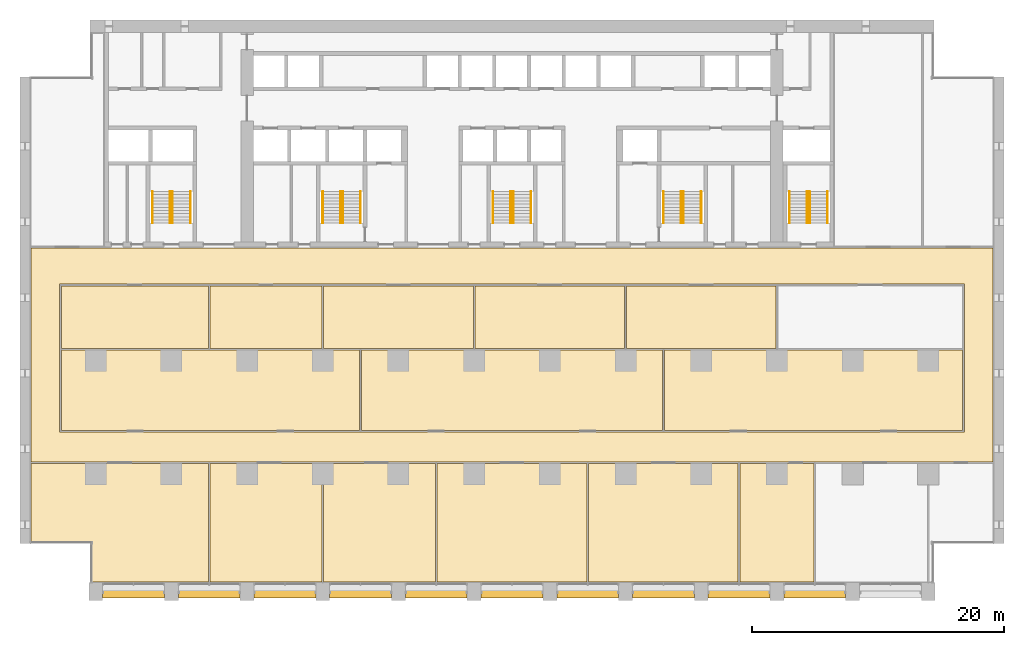
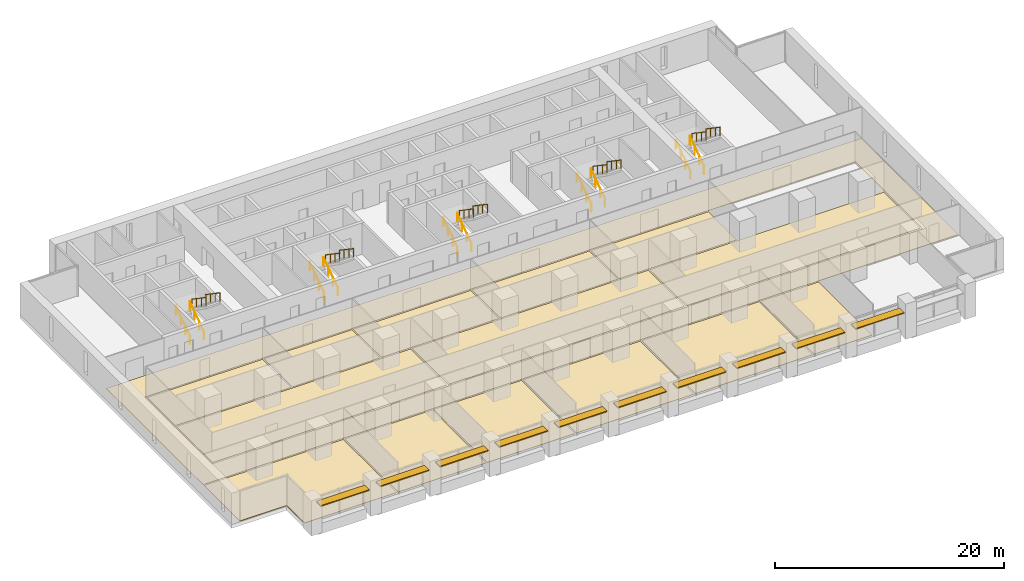
# One storey, part 17 of 18: 20 railings, 15 coverings, 10 shading devices, 5 elements without a shape of their own.
"""IFC4 building model written with IfcOpenShell, lengths in metres."""

from ifc_helpers import new_model, si_unit, direction, frame, origin, origin_2d, place, context, subcontext, project, spatial, polyline, rectangle, circle, outline, extrude, material, layer, layer_set, material_profile, profile_set, type_object, element, aggregate, save


model = new_model("IFC4")

# Units and contexts
model_context = context("Model", 3, precision=1e-05, world=origin(), true_north=direction((0.0, 1.0)))
body_context = subcontext(model_context, "Body", "Model", "MODEL_VIEW")
ifc_project = project(units=[si_unit("LENGTHUNIT", "METRE"), si_unit("AREAUNIT", "SQUARE_METRE"), si_unit("VOLUMEUNIT", "CUBIC_METRE"), si_unit("PLANEANGLEUNIT", "RADIAN"), si_unit("MASSUNIT", "GRAM", prefix="KILO")], contexts=[model_context])

# Site, building, storey
site_placement = place(None, origin())
site = spatial("IfcSite", under=ifc_project, at=site_placement, CompositionType="ELEMENT")
building_placement = place(site_placement, origin())
building = spatial("IfcBuilding", under=site, at=building_placement, Name="Calvaro Tower", CompositionType="ELEMENT")
storey_placement = place(building_placement, frame((0.0, 0.0, 45.0)))
storey = spatial("IfcBuildingStorey", under=building, at=storey_placement, Name="L10", CompositionType="ELEMENT", Elevation=45.0)

# Shading devices
ifc_material_1 = material(Name="Anodised aluminium", Category="aluminium")
ifc_material_profile = material_profile(ifc_material_1, rectangle(XDim=0.800048828125, YDim=0.10009765625, at=origin_2d()), Name="Brise-soleil blade 800 x 100")
ifc_profile_set = profile_set([ifc_material_profile], Name="Anodised aluminium")
shading_device_type = type_object("IfcShadingDeviceType", Name="Brise-soleil blade 800 x 100", PredefinedType="JALOUSIE", material=ifc_profile_set)
for number, where, z_axis, x_axis, name in (
    (1, (6.550048828125, 0.60009765625, 2.300048828125), (1.0, 0.0, 0.0), (0.0, 1.0, 0.0), "Brise-soleil blade 1"),
    (2, (12.550048828125, 0.60009765625, 2.300048828125), (1.0, 0.0, 0.0), (0.0, 1.0, 0.0), "Brise-soleil blade 2"),
    (3, (18.550048828125, 0.60009765625, 2.300048828125), (1.0, 0.0, 0.0), (0.0, 1.0, 0.0), "Brise-soleil blade 3"),
    (4, (24.550048828125, 0.60009765625, 2.300048828125), (1.0, 0.0, 0.0), (0.0, 1.0, 0.0), "Brise-soleil blade 4"),
    (5, (30.550048828125, 0.60009765625, 2.300048828125), (1.0, 0.0, 0.0), (0.0, 1.0, 0.0), "Brise-soleil blade 5"),
    (6, (36.550048828125, 0.60009765625, 2.300048828125), (1.0, 0.0, 0.0), (0.0, 1.0, 0.0), "Brise-soleil blade 6"),
    (7, (42.550048828125, 0.60009765625, 2.300048828125), (1.0, 0.0, 0.0), (0.0, 1.0, 0.0), "Brise-soleil blade 7"),
    (8, (48.550048828125, 0.60009765625, 2.300048828125), (1.0, 0.0, 0.0), (0.0, 1.0, 0.0), "Brise-soleil blade 8"),
    (9, (54.550048828125, 0.60009765625, 2.300048828125), (1.0, 0.0, 0.0), (0.0, 1.0, 0.0), "Brise-soleil blade 9"),
    (10, (60.550048828125, 0.60009765625, 2.300048828125), (1.0, 0.0, 0.0), (0.0, 1.0, 0.0), "Brise-soleil blade 10"),
):
    element("IfcShadingDevice", number, at=place(storey_placement, frame(where, z_axis=z_axis, x_axis=x_axis)), inside=storey, type_object=shading_device_type, Name=name, PredefinedType="JALOUSIE", context=body_context, shape_type="SweptSolid", body=[
        extrude(rectangle(XDim=0.800048828125, YDim=0.10009765625, at=origin_2d()), origin(), (0.0, 0.0, 1.0), 4.89990234375),
    ])

# Coverings
ifc_material_2 = material(Name="Cement screed with carpet tile finish")
ifc_layer = layer(ifc_material_2, 0.050048828125)
ifc_layer_set = layer_set([ifc_layer], Name="Cement screed with carpet tile finish")
covering_type = type_object("IfcCoveringType", Name="Floor finish 50", PredefinedType="FLOORING", material=ifc_layer_set)
covering_1_placement = place(storey_placement, origin())
element("IfcCovering", 11, at=covering_1_placement, inside=storey, type_object=covering_type, Name="Floor finish 10.01", PredefinedType="FLOORING", context=body_context, shape_type="SweptSolid", body=[
    extrude(outline(polyline([(0.8701171875, 10.969970703125), (0.8701171875, 27.929931640625), (77.1298828125, 27.929931640625), (77.1298828125, 10.969970703125), (0.8701171875, 10.969970703125)]), holes=[polyline([(74.8701171875, 13.330078125), (74.8701171875, 25.070068359375), (3.1298828125, 25.070068359375), (3.1298828125, 13.330078125), (74.8701171875, 13.330078125)])]), origin(), (0.0, 0.0, 1.0), 0.050048828125),
])
covering_2_placement = place(storey_placement, origin())
element("IfcCovering", 12, at=covering_2_placement, inside=storey, type_object=covering_type, Name="Floor finish 10.08", PredefinedType="FLOORING", context=body_context, shape_type="SweptSolid", body=[
    extrude(outline(polyline([(14.929931640625, 10.830078125), (14.929931640625, 1.469970703125), (5.6201171875, 1.469970703125), (5.6201171875, 4.570068359375), (0.8701171875, 4.570068359375), (0.8701171875, 10.830078125), (14.929931640625, 10.830078125)])), origin(), (0.0, 0.0, 1.0), 0.050048828125),
])
covering_3_placement = place(storey_placement, origin())
element("IfcCovering", 13, at=covering_3_placement, inside=storey, type_object=covering_type, Name="Floor finish 10.02", PredefinedType="FLOORING", context=body_context, shape_type="SweptSolid", body=[
    extrude(outline(polyline([(15.070068359375, 10.830078125), (23.929931640625, 10.830078125), (23.929931640625, 1.469970703125), (15.070068359375, 1.469970703125), (15.070068359375, 10.830078125)])), origin(), (0.0, 0.0, 1.0), 0.050048828125),
])
covering_4_placement = place(storey_placement, origin())
element("IfcCovering", 14, at=covering_4_placement, inside=storey, type_object=covering_type, Name="Floor finish 10.03", PredefinedType="FLOORING", context=body_context, shape_type="SweptSolid", body=[
    extrude(outline(polyline([(24.070068359375, 10.830078125), (32.929931640625, 10.830078125), (32.929931640625, 1.469970703125), (24.070068359375, 1.469970703125), (24.070068359375, 10.830078125)])), origin(), (0.0, 0.0, 1.0), 0.050048828125),
])
covering_5_placement = place(storey_placement, origin())
element("IfcCovering", 15, at=covering_5_placement, inside=storey, type_object=covering_type, Name="Floor finish 10.05", PredefinedType="FLOORING", context=body_context, shape_type="SweptSolid", body=[
    extrude(outline(polyline([(33.070068359375, 10.830078125), (44.929931640625, 10.830078125), (44.929931640625, 1.469970703125), (33.070068359375, 1.469970703125), (33.070068359375, 10.830078125)])), origin(), (0.0, 0.0, 1.0), 0.050048828125),
])
covering_6_placement = place(storey_placement, origin())
element("IfcCovering", 16, at=covering_6_placement, inside=storey, type_object=covering_type, Name="Floor finish 10.06", PredefinedType="FLOORING", context=body_context, shape_type="SweptSolid", body=[
    extrude(outline(polyline([(45.070068359375, 10.830078125), (56.929931640625, 10.830078125), (56.929931640625, 1.469970703125), (45.070068359375, 1.469970703125), (45.070068359375, 10.830078125)])), origin(), (0.0, 0.0, 1.0), 0.050048828125),
])
covering_7_placement = place(storey_placement, origin())
element("IfcCovering", 17, at=covering_7_placement, inside=storey, type_object=covering_type, Name="Floor finish 10.07", PredefinedType="FLOORING", context=body_context, shape_type="SweptSolid", body=[
    extrude(outline(polyline([(57.070068359375, 10.830078125), (62.929931640625, 10.830078125), (62.929931640625, 1.469970703125), (57.070068359375, 1.469970703125), (57.070068359375, 10.830078125)])), origin(), (0.0, 0.0, 1.0), 0.050048828125),
])
covering_8_placement = place(storey_placement, origin())
element("IfcCovering", 18, at=covering_8_placement, inside=storey, type_object=covering_type, Name="Floor finish 10.10", PredefinedType="FLOORING", context=body_context, shape_type="SweptSolid", body=[
    extrude(outline(polyline([(3.27001953125, 13.469970703125), (3.27001953125, 19.830078125), (26.929931640625, 19.830078125), (26.929931640625, 13.469970703125), (3.27001953125, 13.469970703125)])), origin(), (0.0, 0.0, 1.0), 0.050048828125),
])
covering_9_placement = place(storey_placement, origin())
element("IfcCovering", 19, at=covering_9_placement, inside=storey, type_object=covering_type, Name="Floor finish 10.12", PredefinedType="FLOORING", context=body_context, shape_type="SweptSolid", body=[
    extrude(outline(polyline([(27.070068359375, 13.469970703125), (27.070068359375, 19.830078125), (50.929931640625, 19.830078125), (50.929931640625, 13.469970703125), (27.070068359375, 13.469970703125)])), origin(), (0.0, 0.0, 1.0), 0.050048828125),
])
covering_10_placement = place(storey_placement, origin())
element("IfcCovering", 20, at=covering_10_placement, inside=storey, type_object=covering_type, Name="Floor finish 10.11", PredefinedType="FLOORING", context=body_context, shape_type="SweptSolid", body=[
    extrude(outline(polyline([(51.070068359375, 13.469970703125), (51.070068359375, 19.830078125), (74.72998046875, 19.830078125), (74.72998046875, 13.469970703125), (51.070068359375, 13.469970703125)])), origin(), (0.0, 0.0, 1.0), 0.050048828125),
])
covering_11_placement = place(storey_placement, origin())
element("IfcCovering", 21, at=covering_11_placement, inside=storey, type_object=covering_type, Name="Floor finish 10.13", PredefinedType="FLOORING", context=body_context, shape_type="SweptSolid", body=[
    extrude(outline(polyline([(3.27001953125, 19.969970703125), (3.27001953125, 24.929931640625), (14.929931640625, 24.929931640625), (14.929931640625, 19.969970703125), (3.27001953125, 19.969970703125)])), origin(), (0.0, 0.0, 1.0), 0.050048828125),
])
covering_12_placement = place(storey_placement, origin())
element("IfcCovering", 22, at=covering_12_placement, inside=storey, type_object=covering_type, Name="Floor finish 10.14", PredefinedType="FLOORING", context=body_context, shape_type="SweptSolid", body=[
    extrude(outline(polyline([(15.070068359375, 19.969970703125), (15.070068359375, 24.929931640625), (23.929931640625, 24.929931640625), (23.929931640625, 19.969970703125), (15.070068359375, 19.969970703125)])), origin(), (0.0, 0.0, 1.0), 0.050048828125),
])
covering_13_placement = place(storey_placement, origin())
element("IfcCovering", 23, at=covering_13_placement, inside=storey, type_object=covering_type, Name="Floor finish 10.16", PredefinedType="FLOORING", context=body_context, shape_type="SweptSolid", body=[
    extrude(outline(polyline([(24.070068359375, 19.969970703125), (24.070068359375, 24.929931640625), (35.929931640625, 24.929931640625), (35.929931640625, 19.969970703125), (24.070068359375, 19.969970703125)])), origin(), (0.0, 0.0, 1.0), 0.050048828125),
])
covering_14_placement = place(storey_placement, origin())
element("IfcCovering", 24, at=covering_14_placement, inside=storey, type_object=covering_type, Name="Floor finish 10.17", PredefinedType="FLOORING", context=body_context, shape_type="SweptSolid", body=[
    extrude(outline(polyline([(36.070068359375, 19.969970703125), (36.070068359375, 24.929931640625), (47.929931640625, 24.929931640625), (47.929931640625, 19.969970703125), (36.070068359375, 19.969970703125)])), origin(), (0.0, 0.0, 1.0), 0.050048828125),
])
covering_15_placement = place(storey_placement, origin())
element("IfcCovering", 25, at=covering_15_placement, inside=storey, type_object=covering_type, Name="Floor finish 10.18", PredefinedType="FLOORING", context=body_context, shape_type="SweptSolid", body=[
    extrude(outline(polyline([(48.070068359375, 19.969970703125), (48.070068359375, 24.929931640625), (59.929931640625, 24.929931640625), (59.929931640625, 19.969970703125), (48.070068359375, 19.969970703125)])), origin(), (0.0, 0.0, 1.0), 0.050048828125),
])

# Stair, railings
ifc_material_3 = material(Name="Concrete C40/50", Category="concrete")
stair_type = type_object("IfcStairType", Name="Exit stair 1400 2 flights", PredefinedType="HALF_TURN_STAIR", material=ifc_material_3)
stair_1_placement = place(storey_placement, origin())
stair_1 = element("IfcStair", 26, at=stair_1_placement, inside=storey, type_object=stair_type, Name="Exit stair S1", PredefinedType="HALF_TURN_STAIR")
ifc_material_4 = material(Name="Stainless steel", Category="steel")
railing_type = type_object("IfcRailingType", Name="Stair handrail", PredefinedType="HANDRAIL", material=ifc_material_4)
railing_1_placement = place(storey_placement, frame((11.89990234375, 29.89990234375, 0.17041015625)))
railing_1 = element("IfcRailing", 27, at=railing_1_placement, type_object=railing_type, Name="Exit stair 1 handrail", PredefinedType="HANDRAIL", context=body_context, shape_type="SweptSolid", body=[
    extrude(circle(Radius=0.02392578125, at=origin_2d()), frame((0.0, 0.0, 0.8759765625), z_axis=(0.0, 0.826220514629, 0.563346839174), x_axis=(-1.0, 0.0, 0.0)), (0.0, 0.0, 1.0), 3.02587890625),
    extrude(circle(Radius=0.02099609375, at=origin_2d()), frame((0.0, 0.017333984375, 0.01171875)), (0.0, 0.0, 1.0), 0.851806640625),
    extrude(circle(Radius=0.02099609375, at=origin_2d()), frame((0.0, 0.833251953125, 0.568115234375)), (0.0, 0.0, 1.0), 0.851806640625),
    extrude(circle(Radius=0.02099609375, at=origin_2d()), frame((0.0, 1.666748046875, 1.136474609375)), (0.0, 0.0, 1.0), 0.851806640625),
    extrude(circle(Radius=0.02099609375, at=origin_2d()), frame((0.0, 2.482666015625, 1.69287109375)), (0.0, 0.0, 1.0), 0.851806640625),
])
railing_2_placement = place(storey_placement, frame((10.5, 29.89990234375, 0.17041015625)))
railing_2 = element("IfcRailing", 28, at=railing_2_placement, type_object=railing_type, Name="Exit stair 1 handrail", PredefinedType="HANDRAIL", context=body_context, shape_type="SweptSolid", body=[
    extrude(circle(Radius=0.02392578125, at=origin_2d()), frame((0.0, 0.0, 0.8759765625), z_axis=(0.0, 0.826220514629, 0.563346839174), x_axis=(-1.0, 0.0, 0.0)), (0.0, 0.0, 1.0), 3.02587890625),
    extrude(circle(Radius=0.02099609375, at=origin_2d()), frame((0.0, 0.017333984375, 0.01171875)), (0.0, 0.0, 1.0), 0.851806640625),
    extrude(circle(Radius=0.02099609375, at=origin_2d()), frame((0.0, 0.833251953125, 0.568115234375)), (0.0, 0.0, 1.0), 0.851806640625),
    extrude(circle(Radius=0.02099609375, at=origin_2d()), frame((0.0, 1.666748046875, 1.136474609375)), (0.0, 0.0, 1.0), 0.851806640625),
    extrude(circle(Radius=0.02099609375, at=origin_2d()), frame((0.0, 2.482666015625, 1.69287109375)), (0.0, 0.0, 1.0), 0.851806640625),
])
railing_3_placement = place(storey_placement, frame((12.10009765625, 32.39990234375, 2.04541015625)))
railing_3 = element("IfcRailing", 29, at=railing_3_placement, type_object=railing_type, Name="Exit stair 1 handrail", PredefinedType="HANDRAIL", context=body_context, shape_type="SweptSolid", body=[
    extrude(circle(Radius=0.02392578125, at=origin_2d()), frame((0.0, 0.0, 0.8759765625), z_axis=(0.0, -0.826220514629, 0.563346839174), x_axis=(1.0, 0.0, 0.0)), (0.0, 0.0, 1.0), 3.02587890625),
    extrude(circle(Radius=0.02099609375, at=origin_2d()), frame((0.0, -0.017333984375, 0.01171875)), (0.0, 0.0, 1.0), 0.851806640625),
    extrude(circle(Radius=0.02099609375, at=origin_2d()), frame((0.0, -0.833251953125, 0.568115234375)), (0.0, 0.0, 1.0), 0.851806640625),
    extrude(circle(Radius=0.02099609375, at=origin_2d()), frame((0.0, -1.666748046875, 1.136474609375)), (0.0, 0.0, 1.0), 0.851806640625),
    extrude(circle(Radius=0.02099609375, at=origin_2d()), frame((0.0, -2.482666015625, 1.69287109375)), (0.0, 0.0, 1.0), 0.851806640625),
])
railing_4_placement = place(storey_placement, frame((13.5, 32.39990234375, 2.04541015625)))
railing_4 = element("IfcRailing", 30, at=railing_4_placement, type_object=railing_type, Name="Exit stair 1 handrail", PredefinedType="HANDRAIL", context=body_context, shape_type="SweptSolid", body=[
    extrude(circle(Radius=0.02392578125, at=origin_2d()), frame((0.0, 0.0, 0.8759765625), z_axis=(0.0, -0.826220514629, 0.563346839174), x_axis=(1.0, 0.0, 0.0)), (0.0, 0.0, 1.0), 3.02587890625),
    extrude(circle(Radius=0.02099609375, at=origin_2d()), frame((0.0, -0.017333984375, 0.01171875)), (0.0, 0.0, 1.0), 0.851806640625),
    extrude(circle(Radius=0.02099609375, at=origin_2d()), frame((0.0, -0.833251953125, 0.568115234375)), (0.0, 0.0, 1.0), 0.851806640625),
    extrude(circle(Radius=0.02099609375, at=origin_2d()), frame((0.0, -1.666748046875, 1.136474609375)), (0.0, 0.0, 1.0), 0.851806640625),
    extrude(circle(Radius=0.02099609375, at=origin_2d()), frame((0.0, -2.482666015625, 1.69287109375)), (0.0, 0.0, 1.0), 0.851806640625),
])
aggregate(stair_1, [railing_1, railing_2, railing_3, railing_4])

stair_2_placement = place(storey_placement, origin())
stair_2 = element("IfcStair", 31, at=stair_2_placement, inside=storey, type_object=stair_type, Name="Exit stair S2", PredefinedType="HALF_TURN_STAIR")
railing_5_placement = place(storey_placement, frame((25.39990234375, 29.89990234375, 0.17041015625)))
railing_5 = element("IfcRailing", 32, at=railing_5_placement, type_object=railing_type, Name="Exit stair 2 handrail", PredefinedType="HANDRAIL", context=body_context, shape_type="SweptSolid", body=[
    extrude(circle(Radius=0.02392578125, at=origin_2d()), frame((0.0, 0.0, 0.8759765625), z_axis=(0.0, 0.826220514629, 0.563346839174), x_axis=(-1.0, 0.0, 0.0)), (0.0, 0.0, 1.0), 3.02587890625),
    extrude(circle(Radius=0.02099609375, at=origin_2d()), frame((0.0, 0.017333984375, 0.01171875)), (0.0, 0.0, 1.0), 0.851806640625),
    extrude(circle(Radius=0.02099609375, at=origin_2d()), frame((0.0, 0.833251953125, 0.568115234375)), (0.0, 0.0, 1.0), 0.851806640625),
    extrude(circle(Radius=0.02099609375, at=origin_2d()), frame((0.0, 1.666748046875, 1.136474609375)), (0.0, 0.0, 1.0), 0.851806640625),
    extrude(circle(Radius=0.02099609375, at=origin_2d()), frame((0.0, 2.482666015625, 1.69287109375)), (0.0, 0.0, 1.0), 0.851806640625),
])
railing_6_placement = place(storey_placement, frame((24.0, 29.89990234375, 0.17041015625)))
railing_6 = element("IfcRailing", 33, at=railing_6_placement, type_object=railing_type, Name="Exit stair 2 handrail", PredefinedType="HANDRAIL", context=body_context, shape_type="SweptSolid", body=[
    extrude(circle(Radius=0.02392578125, at=origin_2d()), frame((0.0, 0.0, 0.8759765625), z_axis=(0.0, 0.826220514629, 0.563346839174), x_axis=(-1.0, 0.0, 0.0)), (0.0, 0.0, 1.0), 3.02587890625),
    extrude(circle(Radius=0.02099609375, at=origin_2d()), frame((0.0, 0.017333984375, 0.01171875)), (0.0, 0.0, 1.0), 0.851806640625),
    extrude(circle(Radius=0.02099609375, at=origin_2d()), frame((0.0, 0.833251953125, 0.568115234375)), (0.0, 0.0, 1.0), 0.851806640625),
    extrude(circle(Radius=0.02099609375, at=origin_2d()), frame((0.0, 1.666748046875, 1.136474609375)), (0.0, 0.0, 1.0), 0.851806640625),
    extrude(circle(Radius=0.02099609375, at=origin_2d()), frame((0.0, 2.482666015625, 1.69287109375)), (0.0, 0.0, 1.0), 0.851806640625),
])
railing_7_placement = place(storey_placement, frame((25.60009765625, 32.39990234375, 2.04541015625)))
railing_7 = element("IfcRailing", 34, at=railing_7_placement, type_object=railing_type, Name="Exit stair 2 handrail", PredefinedType="HANDRAIL", context=body_context, shape_type="SweptSolid", body=[
    extrude(circle(Radius=0.02392578125, at=origin_2d()), frame((0.0, 0.0, 0.8759765625), z_axis=(0.0, -0.826220514629, 0.563346839174), x_axis=(1.0, 0.0, 0.0)), (0.0, 0.0, 1.0), 3.02587890625),
    extrude(circle(Radius=0.02099609375, at=origin_2d()), frame((0.0, -0.017333984375, 0.01171875)), (0.0, 0.0, 1.0), 0.851806640625),
    extrude(circle(Radius=0.02099609375, at=origin_2d()), frame((0.0, -0.833251953125, 0.568115234375)), (0.0, 0.0, 1.0), 0.851806640625),
    extrude(circle(Radius=0.02099609375, at=origin_2d()), frame((0.0, -1.666748046875, 1.136474609375)), (0.0, 0.0, 1.0), 0.851806640625),
    extrude(circle(Radius=0.02099609375, at=origin_2d()), frame((0.0, -2.482666015625, 1.69287109375)), (0.0, 0.0, 1.0), 0.851806640625),
])
railing_8_placement = place(storey_placement, frame((27.0, 32.39990234375, 2.04541015625)))
railing_8 = element("IfcRailing", 35, at=railing_8_placement, type_object=railing_type, Name="Exit stair 2 handrail", PredefinedType="HANDRAIL", context=body_context, shape_type="SweptSolid", body=[
    extrude(circle(Radius=0.02392578125, at=origin_2d()), frame((0.0, 0.0, 0.8759765625), z_axis=(0.0, -0.826220514629, 0.563346839174), x_axis=(1.0, 0.0, 0.0)), (0.0, 0.0, 1.0), 3.02587890625),
    extrude(circle(Radius=0.02099609375, at=origin_2d()), frame((0.0, -0.017333984375, 0.01171875)), (0.0, 0.0, 1.0), 0.851806640625),
    extrude(circle(Radius=0.02099609375, at=origin_2d()), frame((0.0, -0.833251953125, 0.568115234375)), (0.0, 0.0, 1.0), 0.851806640625),
    extrude(circle(Radius=0.02099609375, at=origin_2d()), frame((0.0, -1.666748046875, 1.136474609375)), (0.0, 0.0, 1.0), 0.851806640625),
    extrude(circle(Radius=0.02099609375, at=origin_2d()), frame((0.0, -2.482666015625, 1.69287109375)), (0.0, 0.0, 1.0), 0.851806640625),
])
aggregate(stair_2, [railing_5, railing_6, railing_7, railing_8])

stair_3_placement = place(storey_placement, origin())
stair_3 = element("IfcStair", 36, at=stair_3_placement, inside=storey, type_object=stair_type, Name="Exit stair S3", PredefinedType="HALF_TURN_STAIR")
railing_9_placement = place(storey_placement, frame((38.89990234375, 29.89990234375, 0.17041015625)))
railing_9 = element("IfcRailing", 37, at=railing_9_placement, type_object=railing_type, Name="Exit stair 3 handrail", PredefinedType="HANDRAIL", context=body_context, shape_type="SweptSolid", body=[
    extrude(circle(Radius=0.02392578125, at=origin_2d()), frame((0.0, 0.0, 0.8759765625), z_axis=(0.0, 0.826220514629, 0.563346839174), x_axis=(-1.0, 0.0, 0.0)), (0.0, 0.0, 1.0), 3.02587890625),
    extrude(circle(Radius=0.02099609375, at=origin_2d()), frame((0.0, 0.017333984375, 0.01171875)), (0.0, 0.0, 1.0), 0.851806640625),
    extrude(circle(Radius=0.02099609375, at=origin_2d()), frame((0.0, 0.833251953125, 0.568115234375)), (0.0, 0.0, 1.0), 0.851806640625),
    extrude(circle(Radius=0.02099609375, at=origin_2d()), frame((0.0, 1.666748046875, 1.136474609375)), (0.0, 0.0, 1.0), 0.851806640625),
    extrude(circle(Radius=0.02099609375, at=origin_2d()), frame((0.0, 2.482666015625, 1.69287109375)), (0.0, 0.0, 1.0), 0.851806640625),
])
railing_10_placement = place(storey_placement, frame((37.5, 29.89990234375, 0.17041015625)))
railing_10 = element("IfcRailing", 38, at=railing_10_placement, type_object=railing_type, Name="Exit stair 3 handrail", PredefinedType="HANDRAIL", context=body_context, shape_type="SweptSolid", body=[
    extrude(circle(Radius=0.02392578125, at=origin_2d()), frame((0.0, 0.0, 0.8759765625), z_axis=(0.0, 0.826220514629, 0.563346839174), x_axis=(-1.0, 0.0, 0.0)), (0.0, 0.0, 1.0), 3.02587890625),
    extrude(circle(Radius=0.02099609375, at=origin_2d()), frame((0.0, 0.017333984375, 0.01171875)), (0.0, 0.0, 1.0), 0.851806640625),
    extrude(circle(Radius=0.02099609375, at=origin_2d()), frame((0.0, 0.833251953125, 0.568115234375)), (0.0, 0.0, 1.0), 0.851806640625),
    extrude(circle(Radius=0.02099609375, at=origin_2d()), frame((0.0, 1.666748046875, 1.136474609375)), (0.0, 0.0, 1.0), 0.851806640625),
    extrude(circle(Radius=0.02099609375, at=origin_2d()), frame((0.0, 2.482666015625, 1.69287109375)), (0.0, 0.0, 1.0), 0.851806640625),
])
railing_11_placement = place(storey_placement, frame((39.10009765625, 32.39990234375, 2.04541015625)))
railing_11 = element("IfcRailing", 39, at=railing_11_placement, type_object=railing_type, Name="Exit stair 3 handrail", PredefinedType="HANDRAIL", context=body_context, shape_type="SweptSolid", body=[
    extrude(circle(Radius=0.02392578125, at=origin_2d()), frame((0.0, 0.0, 0.8759765625), z_axis=(0.0, -0.826220514629, 0.563346839174), x_axis=(1.0, 0.0, 0.0)), (0.0, 0.0, 1.0), 3.02587890625),
    extrude(circle(Radius=0.02099609375, at=origin_2d()), frame((0.0, -0.017333984375, 0.01171875)), (0.0, 0.0, 1.0), 0.851806640625),
    extrude(circle(Radius=0.02099609375, at=origin_2d()), frame((0.0, -0.833251953125, 0.568115234375)), (0.0, 0.0, 1.0), 0.851806640625),
    extrude(circle(Radius=0.02099609375, at=origin_2d()), frame((0.0, -1.666748046875, 1.136474609375)), (0.0, 0.0, 1.0), 0.851806640625),
    extrude(circle(Radius=0.02099609375, at=origin_2d()), frame((0.0, -2.482666015625, 1.69287109375)), (0.0, 0.0, 1.0), 0.851806640625),
])
railing_12_placement = place(storey_placement, frame((40.5, 32.39990234375, 2.04541015625)))
railing_12 = element("IfcRailing", 40, at=railing_12_placement, type_object=railing_type, Name="Exit stair 3 handrail", PredefinedType="HANDRAIL", context=body_context, shape_type="SweptSolid", body=[
    extrude(circle(Radius=0.02392578125, at=origin_2d()), frame((0.0, 0.0, 0.8759765625), z_axis=(0.0, -0.826220514629, 0.563346839174), x_axis=(1.0, 0.0, 0.0)), (0.0, 0.0, 1.0), 3.02587890625),
    extrude(circle(Radius=0.02099609375, at=origin_2d()), frame((0.0, -0.017333984375, 0.01171875)), (0.0, 0.0, 1.0), 0.851806640625),
    extrude(circle(Radius=0.02099609375, at=origin_2d()), frame((0.0, -0.833251953125, 0.568115234375)), (0.0, 0.0, 1.0), 0.851806640625),
    extrude(circle(Radius=0.02099609375, at=origin_2d()), frame((0.0, -1.666748046875, 1.136474609375)), (0.0, 0.0, 1.0), 0.851806640625),
    extrude(circle(Radius=0.02099609375, at=origin_2d()), frame((0.0, -2.482666015625, 1.69287109375)), (0.0, 0.0, 1.0), 0.851806640625),
])
aggregate(stair_3, [railing_9, railing_10, railing_11, railing_12])

stair_4_placement = place(storey_placement, origin())
stair_4 = element("IfcStair", 41, at=stair_4_placement, inside=storey, type_object=stair_type, Name="Exit stair S4", PredefinedType="HALF_TURN_STAIR")
railing_13_placement = place(storey_placement, frame((52.39990234375, 29.89990234375, 0.17041015625)))
railing_13 = element("IfcRailing", 42, at=railing_13_placement, type_object=railing_type, Name="Exit stair 4 handrail", PredefinedType="HANDRAIL", context=body_context, shape_type="SweptSolid", body=[
    extrude(circle(Radius=0.02392578125, at=origin_2d()), frame((0.0, 0.0, 0.8759765625), z_axis=(0.0, 0.826220514629, 0.563346839174), x_axis=(-1.0, 0.0, 0.0)), (0.0, 0.0, 1.0), 3.02587890625),
    extrude(circle(Radius=0.02099609375, at=origin_2d()), frame((0.0, 0.017333984375, 0.01171875)), (0.0, 0.0, 1.0), 0.851806640625),
    extrude(circle(Radius=0.02099609375, at=origin_2d()), frame((0.0, 0.833251953125, 0.568115234375)), (0.0, 0.0, 1.0), 0.851806640625),
    extrude(circle(Radius=0.02099609375, at=origin_2d()), frame((0.0, 1.666748046875, 1.136474609375)), (0.0, 0.0, 1.0), 0.851806640625),
    extrude(circle(Radius=0.02099609375, at=origin_2d()), frame((0.0, 2.482666015625, 1.69287109375)), (0.0, 0.0, 1.0), 0.851806640625),
])
railing_14_placement = place(storey_placement, frame((51.0, 29.89990234375, 0.17041015625)))
railing_14 = element("IfcRailing", 43, at=railing_14_placement, type_object=railing_type, Name="Exit stair 4 handrail", PredefinedType="HANDRAIL", context=body_context, shape_type="SweptSolid", body=[
    extrude(circle(Radius=0.02392578125, at=origin_2d()), frame((0.0, 0.0, 0.8759765625), z_axis=(0.0, 0.826220514629, 0.563346839174), x_axis=(-1.0, 0.0, 0.0)), (0.0, 0.0, 1.0), 3.02587890625),
    extrude(circle(Radius=0.02099609375, at=origin_2d()), frame((0.0, 0.017333984375, 0.01171875)), (0.0, 0.0, 1.0), 0.851806640625),
    extrude(circle(Radius=0.02099609375, at=origin_2d()), frame((0.0, 0.833251953125, 0.568115234375)), (0.0, 0.0, 1.0), 0.851806640625),
    extrude(circle(Radius=0.02099609375, at=origin_2d()), frame((0.0, 1.666748046875, 1.136474609375)), (0.0, 0.0, 1.0), 0.851806640625),
    extrude(circle(Radius=0.02099609375, at=origin_2d()), frame((0.0, 2.482666015625, 1.69287109375)), (0.0, 0.0, 1.0), 0.851806640625),
])
railing_15_placement = place(storey_placement, frame((52.60009765625, 32.39990234375, 2.04541015625)))
railing_15 = element("IfcRailing", 44, at=railing_15_placement, type_object=railing_type, Name="Exit stair 4 handrail", PredefinedType="HANDRAIL", context=body_context, shape_type="SweptSolid", body=[
    extrude(circle(Radius=0.02392578125, at=origin_2d()), frame((0.0, 0.0, 0.8759765625), z_axis=(0.0, -0.826220514629, 0.563346839174), x_axis=(1.0, 0.0, 0.0)), (0.0, 0.0, 1.0), 3.02587890625),
    extrude(circle(Radius=0.02099609375, at=origin_2d()), frame((0.0, -0.017333984375, 0.01171875)), (0.0, 0.0, 1.0), 0.851806640625),
    extrude(circle(Radius=0.02099609375, at=origin_2d()), frame((0.0, -0.833251953125, 0.568115234375)), (0.0, 0.0, 1.0), 0.851806640625),
    extrude(circle(Radius=0.02099609375, at=origin_2d()), frame((0.0, -1.666748046875, 1.136474609375)), (0.0, 0.0, 1.0), 0.851806640625),
    extrude(circle(Radius=0.02099609375, at=origin_2d()), frame((0.0, -2.482666015625, 1.69287109375)), (0.0, 0.0, 1.0), 0.851806640625),
])
railing_16_placement = place(storey_placement, frame((54.0, 32.39990234375, 2.04541015625)))
railing_16 = element("IfcRailing", 45, at=railing_16_placement, type_object=railing_type, Name="Exit stair 4 handrail", PredefinedType="HANDRAIL", context=body_context, shape_type="SweptSolid", body=[
    extrude(circle(Radius=0.02392578125, at=origin_2d()), frame((0.0, 0.0, 0.8759765625), z_axis=(0.0, -0.826220514629, 0.563346839174), x_axis=(1.0, 0.0, 0.0)), (0.0, 0.0, 1.0), 3.02587890625),
    extrude(circle(Radius=0.02099609375, at=origin_2d()), frame((0.0, -0.017333984375, 0.01171875)), (0.0, 0.0, 1.0), 0.851806640625),
    extrude(circle(Radius=0.02099609375, at=origin_2d()), frame((0.0, -0.833251953125, 0.568115234375)), (0.0, 0.0, 1.0), 0.851806640625),
    extrude(circle(Radius=0.02099609375, at=origin_2d()), frame((0.0, -1.666748046875, 1.136474609375)), (0.0, 0.0, 1.0), 0.851806640625),
    extrude(circle(Radius=0.02099609375, at=origin_2d()), frame((0.0, -2.482666015625, 1.69287109375)), (0.0, 0.0, 1.0), 0.851806640625),
])
aggregate(stair_4, [railing_13, railing_14, railing_15, railing_16])

stair_5_placement = place(storey_placement, origin())
stair_5 = element("IfcStair", 46, at=stair_5_placement, inside=storey, type_object=stair_type, Name="Exit stair S5", PredefinedType="HALF_TURN_STAIR")
railing_17_placement = place(storey_placement, frame((62.39990234375, 29.89990234375, 0.17041015625)))
railing_17 = element("IfcRailing", 47, at=railing_17_placement, type_object=railing_type, Name="Exit stair 5 handrail", PredefinedType="HANDRAIL", context=body_context, shape_type="SweptSolid", body=[
    extrude(circle(Radius=0.02392578125, at=origin_2d()), frame((0.0, 0.0, 0.8759765625), z_axis=(0.0, 0.826220514629, 0.563346839174), x_axis=(-1.0, 0.0, 0.0)), (0.0, 0.0, 1.0), 3.02587890625),
    extrude(circle(Radius=0.02099609375, at=origin_2d()), frame((0.0, 0.017333984375, 0.01171875)), (0.0, 0.0, 1.0), 0.851806640625),
    extrude(circle(Radius=0.02099609375, at=origin_2d()), frame((0.0, 0.833251953125, 0.568115234375)), (0.0, 0.0, 1.0), 0.851806640625),
    extrude(circle(Radius=0.02099609375, at=origin_2d()), frame((0.0, 1.666748046875, 1.136474609375)), (0.0, 0.0, 1.0), 0.851806640625),
    extrude(circle(Radius=0.02099609375, at=origin_2d()), frame((0.0, 2.482666015625, 1.69287109375)), (0.0, 0.0, 1.0), 0.851806640625),
])
railing_18_placement = place(storey_placement, frame((61.0, 29.89990234375, 0.17041015625)))
railing_18 = element("IfcRailing", 48, at=railing_18_placement, type_object=railing_type, Name="Exit stair 5 handrail", PredefinedType="HANDRAIL", context=body_context, shape_type="SweptSolid", body=[
    extrude(circle(Radius=0.02392578125, at=origin_2d()), frame((0.0, 0.0, 0.8759765625), z_axis=(0.0, 0.826220514629, 0.563346839174), x_axis=(-1.0, 0.0, 0.0)), (0.0, 0.0, 1.0), 3.02587890625),
    extrude(circle(Radius=0.02099609375, at=origin_2d()), frame((0.0, 0.017333984375, 0.01171875)), (0.0, 0.0, 1.0), 0.851806640625),
    extrude(circle(Radius=0.02099609375, at=origin_2d()), frame((0.0, 0.833251953125, 0.568115234375)), (0.0, 0.0, 1.0), 0.851806640625),
    extrude(circle(Radius=0.02099609375, at=origin_2d()), frame((0.0, 1.666748046875, 1.136474609375)), (0.0, 0.0, 1.0), 0.851806640625),
    extrude(circle(Radius=0.02099609375, at=origin_2d()), frame((0.0, 2.482666015625, 1.69287109375)), (0.0, 0.0, 1.0), 0.851806640625),
])
railing_19_placement = place(storey_placement, frame((62.60009765625, 32.39990234375, 2.04541015625)))
railing_19 = element("IfcRailing", 49, at=railing_19_placement, type_object=railing_type, Name="Exit stair 5 handrail", PredefinedType="HANDRAIL", context=body_context, shape_type="SweptSolid", body=[
    extrude(circle(Radius=0.02392578125, at=origin_2d()), frame((0.0, 0.0, 0.8759765625), z_axis=(0.0, -0.826220514629, 0.563346839174), x_axis=(1.0, 0.0, 0.0)), (0.0, 0.0, 1.0), 3.02587890625),
    extrude(circle(Radius=0.02099609375, at=origin_2d()), frame((0.0, -0.017333984375, 0.01171875)), (0.0, 0.0, 1.0), 0.851806640625),
    extrude(circle(Radius=0.02099609375, at=origin_2d()), frame((0.0, -0.833251953125, 0.568115234375)), (0.0, 0.0, 1.0), 0.851806640625),
    extrude(circle(Radius=0.02099609375, at=origin_2d()), frame((0.0, -1.666748046875, 1.136474609375)), (0.0, 0.0, 1.0), 0.851806640625),
    extrude(circle(Radius=0.02099609375, at=origin_2d()), frame((0.0, -2.482666015625, 1.69287109375)), (0.0, 0.0, 1.0), 0.851806640625),
])
railing_20_placement = place(storey_placement, frame((64.0, 32.39990234375, 2.04541015625)))
railing_20 = element("IfcRailing", 50, at=railing_20_placement, type_object=railing_type, Name="Exit stair 5 handrail", PredefinedType="HANDRAIL", context=body_context, shape_type="SweptSolid", body=[
    extrude(circle(Radius=0.02392578125, at=origin_2d()), frame((0.0, 0.0, 0.8759765625), z_axis=(0.0, -0.826220514629, 0.563346839174), x_axis=(1.0, 0.0, 0.0)), (0.0, 0.0, 1.0), 3.02587890625),
    extrude(circle(Radius=0.02099609375, at=origin_2d()), frame((0.0, -0.017333984375, 0.01171875)), (0.0, 0.0, 1.0), 0.851806640625),
    extrude(circle(Radius=0.02099609375, at=origin_2d()), frame((0.0, -0.833251953125, 0.568115234375)), (0.0, 0.0, 1.0), 0.851806640625),
    extrude(circle(Radius=0.02099609375, at=origin_2d()), frame((0.0, -1.666748046875, 1.136474609375)), (0.0, 0.0, 1.0), 0.851806640625),
    extrude(circle(Radius=0.02099609375, at=origin_2d()), frame((0.0, -2.482666015625, 1.69287109375)), (0.0, 0.0, 1.0), 0.851806640625),
])
aggregate(stair_5, [railing_17, railing_18, railing_19, railing_20])

save(model, "model.ifc")
